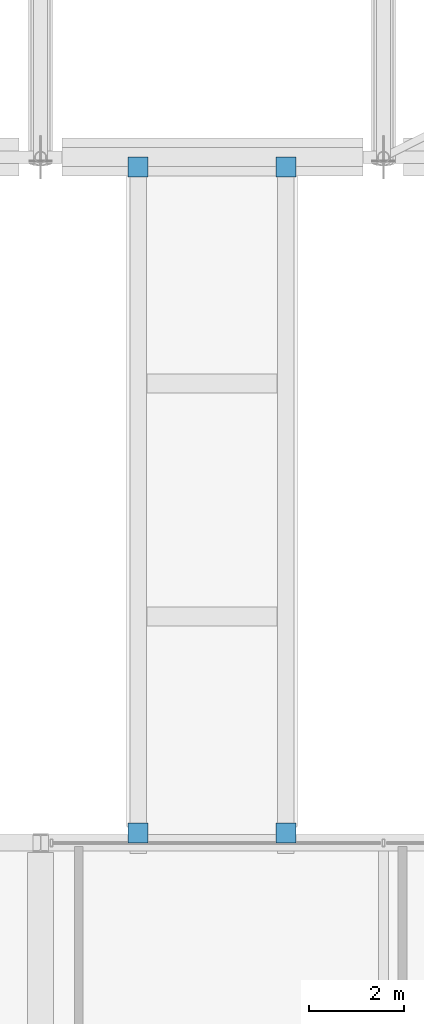
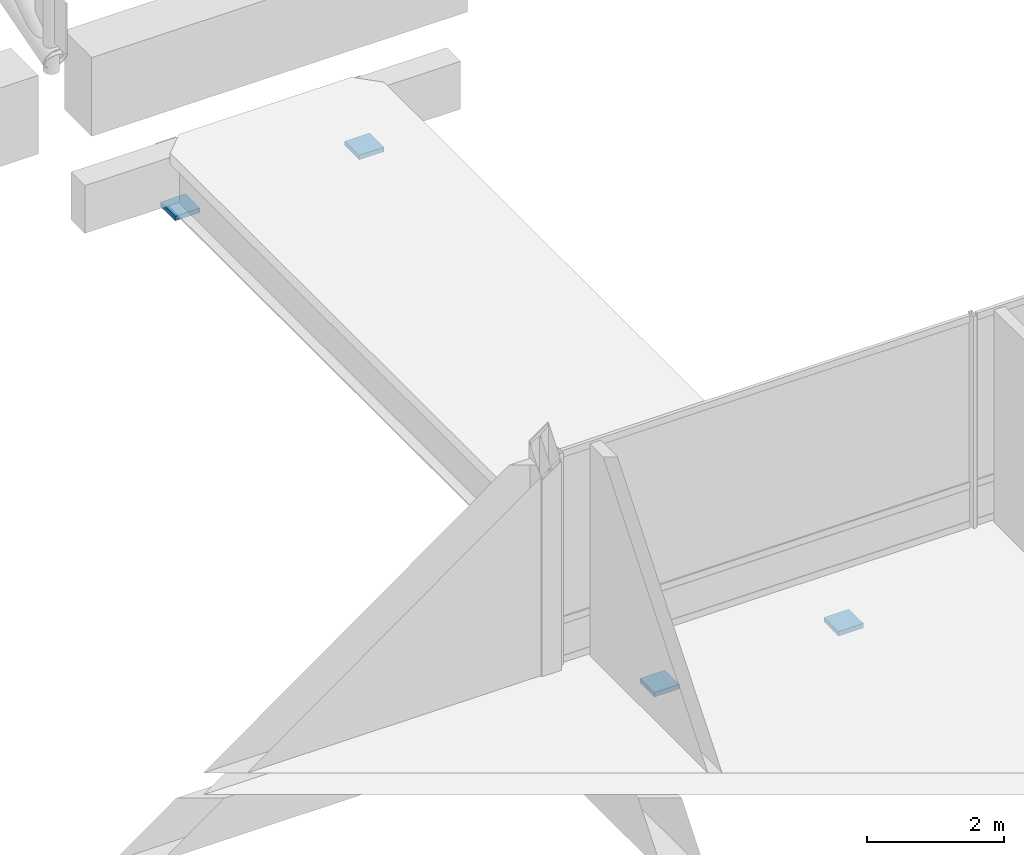
# One storey, part 155 of 193: 4 discrete accessories.
"""IFC4 building model written with IfcOpenShell, lengths in metres."""

from ifc_helpers import new_model, si_unit, direction, frame, origin, origin_2d, place, context, subcontext, project, spatial, rectangle, extrude, material, type_object, element, save


model = new_model("IFC4")

# Units and contexts
model_context = context("Model", 3, precision=1e-05, world=origin(), true_north=direction((0.0, 1.0)))
body_context = subcontext(model_context, "Body", "Model", "MODEL_VIEW")
ifc_project = project(units=[si_unit("LENGTHUNIT", "METRE"), si_unit("AREAUNIT", "SQUARE_METRE"), si_unit("VOLUMEUNIT", "CUBIC_METRE"), si_unit("PLANEANGLEUNIT", "RADIAN"), si_unit("MASSUNIT", "GRAM", prefix="KILO")], contexts=[model_context])

# Site, building, storey
site_placement = place(None, origin())
site = spatial("IfcSite", under=ifc_project, at=site_placement, CompositionType="ELEMENT")
building_placement = place(site_placement, origin())
building = spatial("IfcBuilding", under=site, at=building_placement, Name="Cendralis Lancet Convention Centre", CompositionType="ELEMENT")
storey_placement = place(building_placement, frame((0.0, 0.0, 10.199951171875)))
storey = spatial("IfcBuildingStorey", under=building, at=storey_placement, Name="L02", CompositionType="ELEMENT", Elevation=10.199951171875)

# Discrete accessories
ifc_material = material(Name="Elastomeric-PTFE sliding bridge bearing")
discrete_accessory_type = type_object("IfcDiscreteAccessoryType", Name="STR-BRG-PTFE", PredefinedType="SHOE", material=ifc_material)
for number, where, z_axis, x_axis, name in (
    (1, (16.449951171875, 36.2099609375, -1.179931640625), (0.0, 0.0, 1.0), (1.0, 0.0, 0.0), "Unguided PTFE Sliding Bridge Bearing SB-PTFE #053"),
    (2, (16.449951171875, 50.18994140625, -1.179931640625), (0.0, 0.0, 1.0), (1.0, 0.0, 0.0), "Unguided PTFE Sliding Bridge Bearing SB-PTFE #054"),
    (3, (19.550048828125, 36.2099609375, -1.179931640625), (0.0, 0.0, 1.0), (1.0, 0.0, 0.0), "Unguided PTFE Sliding Bridge Bearing SB-PTFE #055"),
    (4, (19.550048828125, 50.18994140625, -1.179931640625), (0.0, 0.0, 1.0), (1.0, 0.0, 0.0), "Unguided PTFE Sliding Bridge Bearing SB-PTFE #056"),
):
    element("IfcDiscreteAccessory", number, at=place(storey_placement, frame(where, z_axis=z_axis, x_axis=x_axis)), inside=storey, type_object=discrete_accessory_type, Name=name, PredefinedType="SHOE", context=body_context, shape_type="SweptSolid", body=[
        extrude(rectangle(XDim=0.419921875, YDim=0.419921875, at=origin_2d()), origin(), (0.0, 0.0, 1.0), 0.080078125),
    ])

save(model, "model.ifc")
